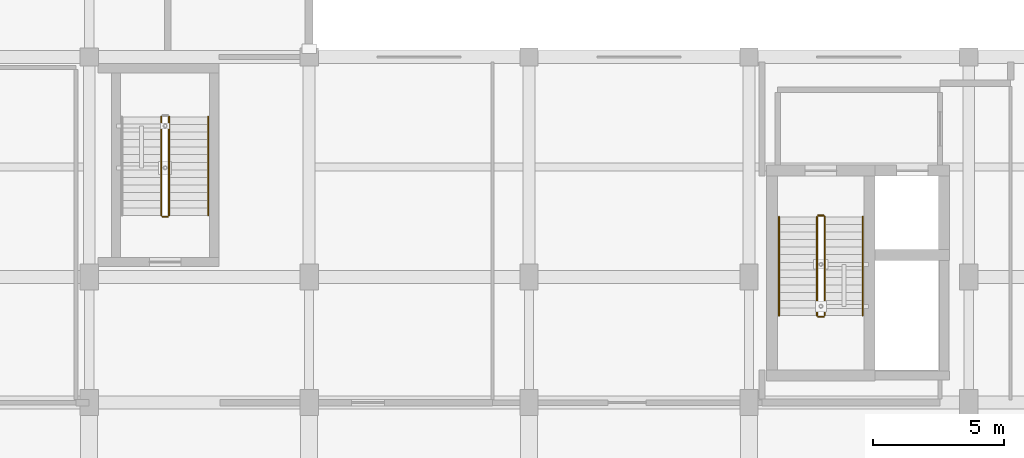
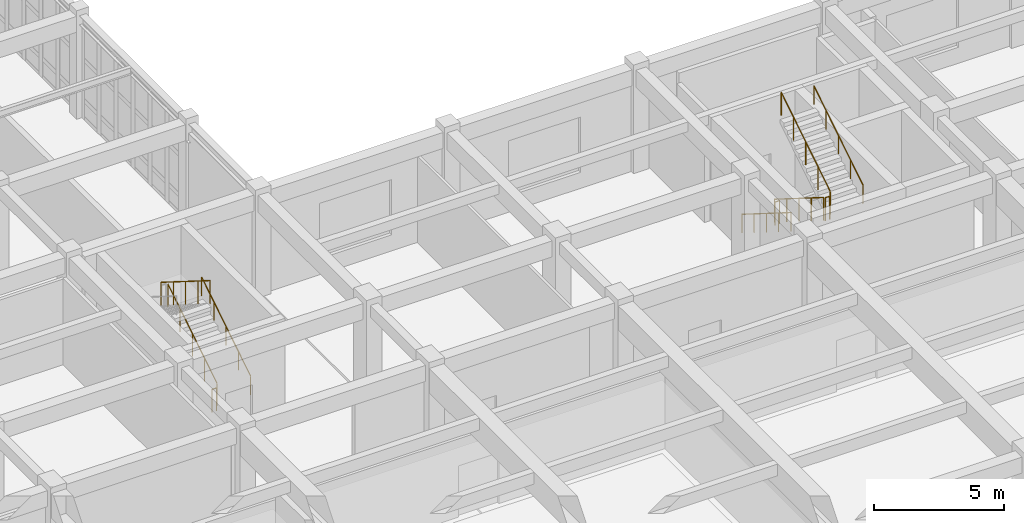
# One storey, part 101 of 106: 10 railings.
"""IFC4 building model written with IfcOpenShell, lengths in metres."""

from ifc_helpers import new_model, si_unit, direction, frame, origin, origin_2d, place, context, subcontext, project, spatial, circle, extrude, material, type_object, element, save


model = new_model("IFC4")

# Units and contexts
model_context = context("Model", 3, precision=1e-05, world=origin(), true_north=direction((0.0, 1.0)))
body_context = subcontext(model_context, "Body", "Model", "MODEL_VIEW")
ifc_project = project(units=[si_unit("LENGTHUNIT", "METRE"), si_unit("AREAUNIT", "SQUARE_METRE"), si_unit("VOLUMEUNIT", "CUBIC_METRE"), si_unit("PLANEANGLEUNIT", "RADIAN"), si_unit("MASSUNIT", "GRAM", prefix="KILO")], contexts=[model_context])

# Site, building, storey
site_placement = place(None, origin())
site = spatial("IfcSite", under=ifc_project, at=site_placement, CompositionType="ELEMENT")
building_placement = place(site_placement, origin())
building = spatial("IfcBuilding", under=site, at=building_placement, Name="Krzemoval Escarpment Law Courts", CompositionType="ELEMENT")
storey_placement = place(building_placement, frame((0.0, 0.0, 5.10009765625)))
storey = spatial("IfcBuildingStorey", under=building, at=storey_placement, Name="L01", CompositionType="ELEMENT", Elevation=5.10009765625)

# Railings
ifc_material_1 = material(Name="Galvanised Steel S355", Category="steel")
railing_type_1 = type_object("IfcRailingType", Name="RL-GRD-1100", PredefinedType="GUARDRAIL", material=ifc_material_1)
railing_1_placement = place(storey_placement, frame((61.39990234375, 29.300048828125, 0.18212890625)))
element("IfcRailing", 1, at=railing_1_placement, inside=storey, type_object=railing_type_1, Name="L01 ST4 stair guard 1", PredefinedType="GUARDRAIL", context=body_context, shape_type="SweptSolid", body=[
    extrude(circle(Radius=0.02392578125, at=origin_2d()), frame((0.0, 0.0, 1.076171875), z_axis=(0.0, -0.846844037257, 0.531841307688), x_axis=(1.0, 0.0, 0.0)), (0.0, 0.0, 1.0), 4.451904296875),
    extrude(circle(Radius=0.02099609375, at=origin_2d()), origin(), (0.0, 0.0, 1.0), 1.052001953125),
    extrude(circle(Radius=0.02099609375, at=origin_2d()), frame((0.0, -0.9423828125, 0.591796875)), (0.0, 0.0, 1.0), 1.052001953125),
    extrude(circle(Radius=0.02099609375, at=origin_2d()), frame((0.0, -1.885009765625, 1.183837890625)), (0.0, 0.0, 1.0), 1.052001953125),
    extrude(circle(Radius=0.02099609375, at=origin_2d()), frame((0.0, -2.82763671875, 1.77587890625)), (0.0, 0.0, 1.0), 1.052001953125),
    extrude(circle(Radius=0.02099609375, at=origin_2d()), frame((0.0, -3.77001953125, 2.36767578125)), (0.0, 0.0, 1.0), 1.052001953125),
])
railing_2_placement = place(storey_placement, frame((61.449951171875, 25.47998046875, 2.5498046875)))
element("IfcRailing", 2, at=railing_2_placement, inside=storey, type_object=railing_type_1, Name="L01 ST4 stair guard 2", PredefinedType="GUARDRAIL", context=body_context, shape_type="SweptSolid", body=[
    extrude(circle(Radius=0.02392578125, at=origin_2d()), frame((0.0, 0.0, 1.076171875), z_axis=(1.0, 0.0, 0.0), x_axis=(0.0, 1.0, 0.0)), (0.0, 0.0, 1.0), 0.199951171875),
    extrude(circle(Radius=0.02099609375, at=origin_2d()), origin(), (0.0, 0.0, 1.0), 1.052001953125),
    extrude(circle(Radius=0.02099609375, at=origin_2d()), frame((0.199951171875, 0.0, 0.0)), (0.0, 0.0, 1.0), 1.052001953125),
])
railing_3_placement = place(storey_placement, frame((61.699951171875, 25.530029296875, 2.73193359375)))
element("IfcRailing", 3, at=railing_3_placement, inside=storey, type_object=railing_type_1, Name="L01 ST4 stair guard 3", PredefinedType="GUARDRAIL", context=body_context, shape_type="SweptSolid", body=[
    extrude(circle(Radius=0.02392578125, at=origin_2d()), frame((0.0, 0.0, 1.076171875), z_axis=(0.0, 0.846819337722, 0.53188063441), x_axis=(-1.0, 0.0, 0.0)), (0.0, 0.0, 1.0), 4.451904296875),
    extrude(circle(Radius=0.02099609375, at=origin_2d()), origin(), (0.0, 0.0, 1.0), 1.052001953125),
    extrude(circle(Radius=0.02099609375, at=origin_2d()), frame((0.0, 0.9423828125, 0.592041015625)), (0.0, 0.0, 1.0), 1.052001953125),
    extrude(circle(Radius=0.02099609375, at=origin_2d()), frame((0.0, 1.885009765625, 1.18408203125)), (0.0, 0.0, 1.0), 1.052001953125),
    extrude(circle(Radius=0.02099609375, at=origin_2d()), frame((0.0, 2.82763671875, 1.77587890625)), (0.0, 0.0, 1.0), 1.052001953125),
    extrude(circle(Radius=0.02099609375, at=origin_2d()), frame((0.0, 3.77001953125, 2.367919921875)), (0.0, 0.0, 1.0), 1.052001953125),
])
railing_4_placement = place(storey_placement, frame((61.449951171875, 29.35009765625, 0.0)))
element("IfcRailing", 4, at=railing_4_placement, inside=storey, type_object=railing_type_1, Name="L01 ST4 stair guard 4", PredefinedType="GUARDRAIL", context=body_context, shape_type="SweptSolid", body=[
    extrude(circle(Radius=0.02392578125, at=origin_2d()), frame((0.0, 0.0, 1.076171875), z_axis=(1.0, 0.0, 0.0), x_axis=(0.0, 1.0, 0.0)), (0.0, 0.0, 1.0), 0.199951171875),
    extrude(circle(Radius=0.02099609375, at=origin_2d()), origin(), (0.0, 0.0, 1.0), 1.052001953125),
    extrude(circle(Radius=0.02099609375, at=origin_2d()), frame((0.199951171875, 0.0, 0.0)), (0.0, 0.0, 1.0), 1.052001953125),
])
railing_5_placement = place(storey_placement, frame((36.64990234375, 29.35009765625, 0.18212890625)))
element("IfcRailing", 5, at=railing_5_placement, inside=storey, type_object=railing_type_1, Name="L01 ST9 stair guard 1", PredefinedType="GUARDRAIL", context=body_context, shape_type="SweptSolid", body=[
    extrude(circle(Radius=0.02392578125, at=origin_2d()), frame((0.0, 0.0, 1.076171875), z_axis=(0.0, 0.846844037257, 0.531841307688), x_axis=(-1.0, 0.0, 0.0)), (0.0, 0.0, 1.0), 4.451904296875),
    extrude(circle(Radius=0.02099609375, at=origin_2d()), origin(), (0.0, 0.0, 1.0), 1.052001953125),
    extrude(circle(Radius=0.02099609375, at=origin_2d()), frame((0.0, 0.9423828125, 0.591796875)), (0.0, 0.0, 1.0), 1.052001953125),
    extrude(circle(Radius=0.02099609375, at=origin_2d()), frame((0.0, 1.885009765625, 1.183837890625)), (0.0, 0.0, 1.0), 1.052001953125),
    extrude(circle(Radius=0.02099609375, at=origin_2d()), frame((0.0, 2.82763671875, 1.77587890625)), (0.0, 0.0, 1.0), 1.052001953125),
    extrude(circle(Radius=0.02099609375, at=origin_2d()), frame((0.0, 3.77001953125, 2.36767578125)), (0.0, 0.0, 1.0), 1.052001953125),
])
railing_6_placement = place(storey_placement, frame((36.35009765625, 33.1201171875, 2.73193359375)))
element("IfcRailing", 6, at=railing_6_placement, inside=storey, type_object=railing_type_1, Name="L01 ST9 stair guard 3", PredefinedType="GUARDRAIL", context=body_context, shape_type="SweptSolid", body=[
    extrude(circle(Radius=0.02392578125, at=origin_2d()), frame((0.0, 0.0, 1.076171875), z_axis=(0.0, -0.846819337722, 0.53188063441), x_axis=(1.0, 0.0, 0.0)), (0.0, 0.0, 1.0), 4.451904296875),
    extrude(circle(Radius=0.02099609375, at=origin_2d()), origin(), (0.0, 0.0, 1.0), 1.052001953125),
    extrude(circle(Radius=0.02099609375, at=origin_2d()), frame((0.0, -0.9423828125, 0.592041015625)), (0.0, 0.0, 1.0), 1.052001953125),
    extrude(circle(Radius=0.02099609375, at=origin_2d()), frame((0.0, -1.885009765625, 1.18408203125)), (0.0, 0.0, 1.0), 1.052001953125),
    extrude(circle(Radius=0.02099609375, at=origin_2d()), frame((0.0, -2.82763671875, 1.77587890625)), (0.0, 0.0, 1.0), 1.052001953125),
    extrude(circle(Radius=0.02099609375, at=origin_2d()), frame((0.0, -3.77001953125, 2.367919921875)), (0.0, 0.0, 1.0), 1.052001953125),
])
railing_7_placement = place(storey_placement, frame((36.60009765625, 29.300048828125, 0.0)))
element("IfcRailing", 7, at=railing_7_placement, inside=storey, type_object=railing_type_1, Name="L01 ST9 stair guard 4", PredefinedType="GUARDRAIL", context=body_context, shape_type="SweptSolid", body=[
    extrude(circle(Radius=0.02392578125, at=origin_2d()), frame((0.0, 0.0, 1.076171875), z_axis=(-1.0, 0.0, 0.0), x_axis=(0.0, -1.0, 0.0)), (0.0, 0.0, 1.0), 0.2001953125),
    extrude(circle(Radius=0.02099609375, at=origin_2d()), origin(), (0.0, 0.0, 1.0), 1.052001953125),
    extrude(circle(Radius=0.02099609375, at=origin_2d()), frame((-0.2001953125, 0.0, 0.0)), (0.0, 0.0, 1.0), 1.052001953125),
])
ifc_material_2 = material(Name="Brushed Stainless Steel Grade 304 Handrail", Category="steel")
railing_type_2 = type_object("IfcRailingType", Name="RL-HND-900", PredefinedType="HANDRAIL", material=ifc_material_2)
railing_8_placement = place(storey_placement, frame((59.949951171875, 29.300048828125, 0.18212890625)))
element("IfcRailing", 8, at=railing_8_placement, inside=storey, type_object=railing_type_2, Name="L01 ST4 stair handrail 1", PredefinedType="HANDRAIL", context=body_context, shape_type="SweptSolid", body=[
    extrude(circle(Radius=0.02392578125, at=origin_2d()), frame((0.0, 0.0, 0.8759765625), z_axis=(0.0, -0.846844037257, 0.531841307688), x_axis=(1.0, 0.0, 0.0)), (0.0, 0.0, 1.0), 4.451904296875),
    extrude(circle(Radius=0.02099609375, at=origin_2d()), origin(), (0.0, 0.0, 1.0), 0.851806640625),
    extrude(circle(Radius=0.02099609375, at=origin_2d()), frame((0.0, -0.9423828125, 0.591796875)), (0.0, 0.0, 1.0), 0.851806640625),
    extrude(circle(Radius=0.02099609375, at=origin_2d()), frame((0.0, -1.885009765625, 1.183837890625)), (0.0, 0.0, 1.0), 0.851806640625),
    extrude(circle(Radius=0.02099609375, at=origin_2d()), frame((0.0, -2.82763671875, 1.77587890625)), (0.0, 0.0, 1.0), 0.851806640625),
    extrude(circle(Radius=0.02099609375, at=origin_2d()), frame((0.0, -3.77001953125, 2.36767578125)), (0.0, 0.0, 1.0), 0.851806640625),
])
railing_9_placement = place(storey_placement, frame((63.14990234375, 25.530029296875, 2.73193359375)))
element("IfcRailing", 9, at=railing_9_placement, inside=storey, type_object=railing_type_2, Name="L01 ST4 stair handrail 2", PredefinedType="HANDRAIL", context=body_context, shape_type="SweptSolid", body=[
    extrude(circle(Radius=0.02392578125, at=origin_2d()), frame((0.0, 0.0, 0.8759765625), z_axis=(0.0, 0.846819337722, 0.53188063441), x_axis=(-1.0, 0.0, 0.0)), (0.0, 0.0, 1.0), 4.451904296875),
    extrude(circle(Radius=0.02099609375, at=origin_2d()), origin(), (0.0, 0.0, 1.0), 0.851806640625),
    extrude(circle(Radius=0.02099609375, at=origin_2d()), frame((0.0, 0.9423828125, 0.592041015625)), (0.0, 0.0, 1.0), 0.851806640625),
    extrude(circle(Radius=0.02099609375, at=origin_2d()), frame((0.0, 1.885009765625, 1.18408203125)), (0.0, 0.0, 1.0), 0.851806640625),
    extrude(circle(Radius=0.02099609375, at=origin_2d()), frame((0.0, 2.82763671875, 1.77587890625)), (0.0, 0.0, 1.0), 0.851806640625),
    extrude(circle(Radius=0.02099609375, at=origin_2d()), frame((0.0, 3.77001953125, 2.367919921875)), (0.0, 0.0, 1.0), 0.851806640625),
])
railing_10_placement = place(storey_placement, frame((38.14990234375, 29.35009765625, 0.18212890625)))
element("IfcRailing", 10, at=railing_10_placement, inside=storey, type_object=railing_type_2, Name="L01 ST9 stair handrail 1", PredefinedType="HANDRAIL", context=body_context, shape_type="SweptSolid", body=[
    extrude(circle(Radius=0.02392578125, at=origin_2d()), frame((0.0, 0.0, 0.8759765625), z_axis=(0.0, 0.846844037257, 0.531841307688), x_axis=(-1.0, 0.0, 0.0)), (0.0, 0.0, 1.0), 4.451904296875),
    extrude(circle(Radius=0.02099609375, at=origin_2d()), origin(), (0.0, 0.0, 1.0), 0.851806640625),
    extrude(circle(Radius=0.02099609375, at=origin_2d()), frame((0.0, 0.9423828125, 0.591796875)), (0.0, 0.0, 1.0), 0.851806640625),
    extrude(circle(Radius=0.02099609375, at=origin_2d()), frame((0.0, 1.885009765625, 1.183837890625)), (0.0, 0.0, 1.0), 0.851806640625),
    extrude(circle(Radius=0.02099609375, at=origin_2d()), frame((0.0, 2.82763671875, 1.77587890625)), (0.0, 0.0, 1.0), 0.851806640625),
    extrude(circle(Radius=0.02099609375, at=origin_2d()), frame((0.0, 3.77001953125, 2.36767578125)), (0.0, 0.0, 1.0), 0.851806640625),
])

save(model, "model.ifc")
